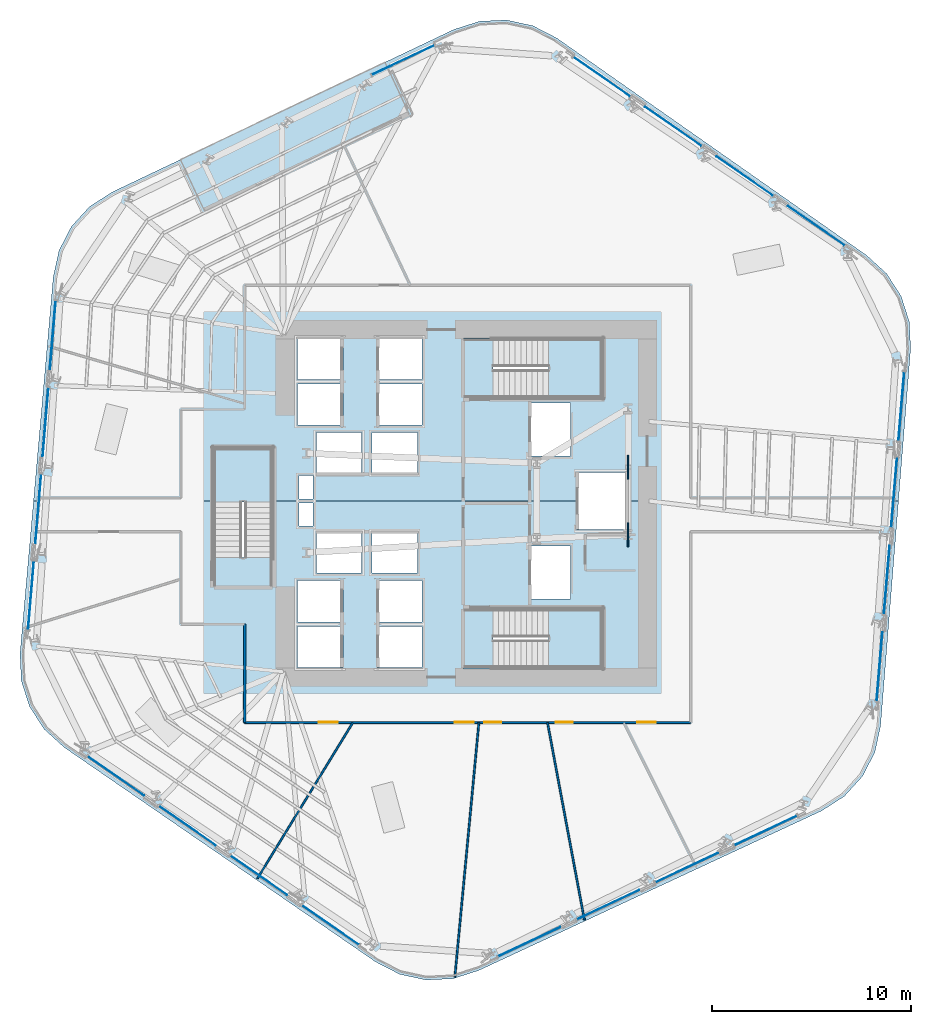
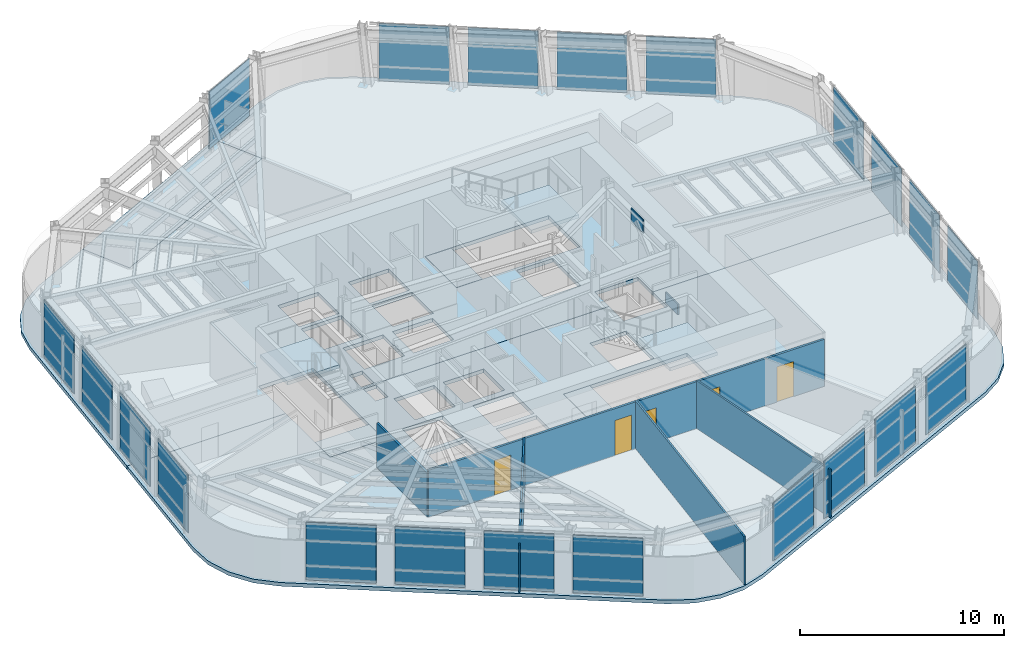
# One storey, part 8 of 19: 23 plates, 9 slabs, 5 doors, 5 walls, 5 openings, 9 elements without a shape of their own.
"""IFC4 building model written with IfcOpenShell, lengths in metres."""

from ifc_helpers import new_model, si_unit, direction, frame, frame_2d, origin, origin_2d, place, context, subcontext, project, spatial, polyline, rectangle, outline, extrude, material, layer, layer_set, type_object, element, fill, aggregate, save


model = new_model("IFC4")

# Units and contexts
model_context = context("Model", 3, precision=1e-05, world=origin(), true_north=direction((0.0, 1.0)))
body_context = subcontext(model_context, "Body", "Model", "MODEL_VIEW")
ifc_project = project(units=[si_unit("LENGTHUNIT", "METRE"), si_unit("AREAUNIT", "SQUARE_METRE"), si_unit("VOLUMEUNIT", "CUBIC_METRE"), si_unit("PLANEANGLEUNIT", "RADIAN"), si_unit("MASSUNIT", "GRAM", prefix="KILO")], contexts=[model_context])

# Site, building, storey
site_placement = place(None, origin())
site = spatial("IfcSite", under=ifc_project, at=site_placement, CompositionType="ELEMENT")
building_placement = place(site_placement, origin())
building = spatial("IfcBuilding", under=site, at=building_placement, Name="Valkerne Bourse Tower", CompositionType="ELEMENT")
storey_placement = place(building_placement, frame((0.0, 0.0, 131.39990234375)))
storey = spatial("IfcBuildingStorey", under=building, at=storey_placement, Name="L33", CompositionType="ELEMENT", Elevation=131.39990234375)

# Curtain wall, plates
ifc_material_1 = material(Name="Aluminium AA 6063-T6", Category="aluminium")
ifc_layer_1 = layer(ifc_material_1, 0.22998046875)
ifc_layer_set_1 = layer_set([ifc_layer_1], Name="Aluminium AA 6063-T6")
curtain_wall_type = type_object("IfcCurtainWallType", Name="CW-02", PredefinedType="NOTDEFINED", material=ifc_layer_set_1)
curtain_wall_1_placement = place(storey_placement, origin())
curtain_wall_1 = element("IfcCurtainWall", 1, at=curtain_wall_1_placement, inside=storey, type_object=curtain_wall_type, Name="L33 Hexagonal Stick Curtain Wall Face 1", PredefinedType="NOTDEFINED")
ifc_material_2 = material(Name="Glass IGU Low-E Double Glazed", Category="glass")
ifc_layer_2 = layer(ifc_material_2, 0.031982421875)
ifc_layer_set_2 = layer_set([ifc_layer_2], Name="Glass IGU Low-E Double Glazed")
plate_type_1 = type_object("IfcPlateType", Name="CW-PNL-IGU-32", PredefinedType="CURTAIN_PANEL", material=ifc_layer_set_2)
plate_1_placement = place(storey_placement, frame((64.427734375, 40.84326171875, 0.030029296875), z_axis=(0.0, 0.0, 1.0), x_axis=(-0.821153450054, 0.570707465751, 0.0)))
plate_1 = element("IfcPlate", 2, at=plate_1_placement, type_object=plate_type_1, Name="CW-L33-F1 Curtain Panel 00", PredefinedType="CURTAIN_PANEL", context=body_context, shape_type="SweptSolid", body=[
    extrude(rectangle(XDim=3.462890625, YDim=0.031982421875, at=origin_2d()), origin(), (0.0, 0.0, 1.0), 3.4599609375),
])
plate_2_placement = place(storey_placement, frame((60.82861328125, 43.3447265625, 0.030029296875), z_axis=(0.0, 0.0, 1.0), x_axis=(-0.82114275782, 0.570722849797, 0.0)))
plate_2 = element("IfcPlate", 3, at=plate_2_placement, type_object=plate_type_1, Name="CW-L33-F1 Curtain Panel 01", PredefinedType="CURTAIN_PANEL", context=body_context, shape_type="SweptSolid", body=[
    extrude(rectangle(XDim=3.463134765625, YDim=0.031982421875, at=origin_2d()), origin(), (0.0, 0.0, 1.0), 3.4599609375),
])
plate_3_placement = place(storey_placement, frame((57.2294921875, 45.84619140625, 0.030029296875), z_axis=(0.0, 0.0, 1.0), x_axis=(-0.821146018677, 0.570718158123, 0.0)))
plate_3 = element("IfcPlate", 4, at=plate_3_placement, type_object=plate_type_1, Name="CW-L33-F1 Curtain Panel 02", PredefinedType="CURTAIN_PANEL", context=body_context, shape_type="SweptSolid", body=[
    extrude(rectangle(XDim=3.462890625, YDim=0.031982421875, at=origin_2d()), origin(), (0.0, 0.0, 1.0), 3.4599609375),
])
plate_4_placement = place(storey_placement, frame((53.630615234375, 48.347412109375, 0.030029296875), z_axis=(0.0, 0.0, 1.0), x_axis=(-0.821153450054, 0.570707465751, 0.0)))
plate_4 = element("IfcPlate", 5, at=plate_4_placement, type_object=plate_type_1, Name="CW-L33-F1 Curtain Panel 03", PredefinedType="CURTAIN_PANEL", context=body_context, shape_type="SweptSolid", body=[
    extrude(rectangle(XDim=3.462890625, YDim=0.031982421875, at=origin_2d()), origin(), (0.0, 0.0, 1.0), 3.4599609375),
])
aggregate(curtain_wall_1, [plate_1, plate_2, plate_3, plate_4])

# Curtain wall, plate
curtain_wall_2_placement = place(storey_placement, origin())
curtain_wall_2 = element("IfcCurtainWall", 6, at=curtain_wall_2_placement, inside=storey, type_object=curtain_wall_type, Name="L33 Hexagonal Stick Curtain Wall Face 2", PredefinedType="NOTDEFINED")
plate_5_placement = place(storey_placement, frame((43.625244140625, 49.1875, 0.030029296875), z_axis=(0.0, 0.0, 1.0), x_axis=(-0.904828009037, -0.425777258743, 0.0)))
plate_5 = element("IfcPlate", 7, at=plate_5_placement, type_object=plate_type_1, Name="CW-L33-F2 Curtain Panel 00", PredefinedType="CURTAIN_PANEL", context=body_context, shape_type="SweptSolid", body=[
    extrude(rectangle(XDim=3.462890625, YDim=0.031982421875, at=origin_2d()), origin(), (0.0, 0.0, 1.0), 3.4599609375),
])
aggregate(curtain_wall_2, [plate_5])

# Curtain wall, plates
curtain_wall_3_placement = place(storey_placement, origin())
curtain_wall_3 = element("IfcCurtainWall", 8, at=curtain_wall_3_placement, inside=storey, type_object=curtain_wall_type, Name="L33 Hexagonal Stick Curtain Wall Face 3", PredefinedType="NOTDEFINED")
plate_6_placement = place(storey_placement, frame((25.99755859375, 35.344482421875, 0.030029296875), z_axis=(0.0, 0.0, 1.0), x_axis=(-0.083687445044, -0.996492052925, 0.0)))
plate_6 = element("IfcPlate", 9, at=plate_6_placement, type_object=plate_type_1, Name="CW-L33-F3 Curtain Panel 00", PredefinedType="CURTAIN_PANEL", context=body_context, shape_type="SweptSolid", body=[
    extrude(rectangle(XDim=3.462890625, YDim=0.031982421875, at=origin_2d()), origin(), (0.0, 0.0, 1.0), 3.4599609375),
])
plate_7_placement = place(storey_placement, frame((25.630615234375, 30.976806640625, 0.030029296875), z_axis=(0.0, 0.0, 1.0), x_axis=(-0.083687445044, -0.996492052925, 0.0)))
plate_7 = element("IfcPlate", 10, at=plate_7_placement, type_object=plate_type_1, Name="CW-L33-F3 Curtain Panel 01", PredefinedType="CURTAIN_PANEL", context=body_context, shape_type="SweptSolid", body=[
    extrude(rectangle(XDim=3.462890625, YDim=0.031982421875, at=origin_2d()), origin(), (0.0, 0.0, 1.0), 3.4599609375),
])
plate_8_placement = place(storey_placement, frame((25.263916015625, 26.609130859375, 0.030029296875), z_axis=(0.0, 0.0, 1.0), x_axis=(-0.083662887107, -0.996494115046, 0.0)))
plate_8 = element("IfcPlate", 11, at=plate_8_placement, type_object=plate_type_1, Name="CW-L33-F3 Curtain Panel 02", PredefinedType="CURTAIN_PANEL", context=body_context, shape_type="SweptSolid", body=[
    extrude(rectangle(XDim=3.462890625, YDim=0.031982421875, at=origin_2d()), origin(), (0.0, 0.0, 1.0), 3.4599609375),
])
plate_9_placement = place(storey_placement, frame((24.897216796875, 22.241455078125, 0.030029296875), z_axis=(0.0, 0.0, 1.0), x_axis=(-0.083687445044, -0.996492052925, 0.0)))
plate_9 = element("IfcPlate", 12, at=plate_9_placement, type_object=plate_type_1, Name="CW-L33-F3 Curtain Panel 03", PredefinedType="CURTAIN_PANEL", context=body_context, shape_type="SweptSolid", body=[
    extrude(rectangle(XDim=3.462890625, YDim=0.031982421875, at=origin_2d()), origin(), (0.0, 0.0, 1.0), 3.4599609375),
])
aggregate(curtain_wall_3, [plate_6, plate_7, plate_8, plate_9])

curtain_wall_4_placement = place(storey_placement, origin())
curtain_wall_4 = element("IfcCurtainWall", 13, at=curtain_wall_4_placement, inside=storey, type_object=curtain_wall_type, Name="L33 Hexagonal Stick Curtain Wall Face 4", PredefinedType="NOTDEFINED")
plate_10_placement = place(storey_placement, frame((29.17236328125, 13.15673828125, 0.030029296875), z_axis=(0.0, 0.0, 1.0), x_axis=(0.821153450054, -0.570707465751, 0.0)))
plate_10 = element("IfcPlate", 14, at=plate_10_placement, type_object=plate_type_1, Name="CW-L33-F4 Curtain Panel 00", PredefinedType="CURTAIN_PANEL", context=body_context, shape_type="SweptSolid", body=[
    extrude(rectangle(XDim=3.462890625, YDim=0.031982421875, at=origin_2d()), origin(), (0.0, 0.0, 1.0), 3.4599609375),
])
plate_11_placement = place(storey_placement, frame((32.771484375, 10.6552734375, 0.030029296875), z_axis=(0.0, 0.0, 1.0), x_axis=(0.82114275782, -0.570722849797, 0.0)))
plate_11 = element("IfcPlate", 15, at=plate_11_placement, type_object=plate_type_1, Name="CW-L33-F4 Curtain Panel 01", PredefinedType="CURTAIN_PANEL", context=body_context, shape_type="SweptSolid", body=[
    extrude(rectangle(XDim=3.463134765625, YDim=0.031982421875, at=origin_2d()), origin(), (0.0, 0.0, 1.0), 3.4599609375),
])
plate_12_placement = place(storey_placement, frame((36.370361328125, 8.15380859375, 0.030029296875), z_axis=(0.0, 0.0, 1.0), x_axis=(0.821146018677, -0.570718158123, 0.0)))
plate_12 = element("IfcPlate", 16, at=plate_12_placement, type_object=plate_type_1, Name="CW-L33-F4 Curtain Panel 02", PredefinedType="CURTAIN_PANEL", context=body_context, shape_type="SweptSolid", body=[
    extrude(rectangle(XDim=3.462890625, YDim=0.031982421875, at=origin_2d()), origin(), (0.0, 0.0, 1.0), 3.4599609375),
])
plate_13_placement = place(storey_placement, frame((39.969482421875, 5.652587890625, 0.030029296875), z_axis=(0.0, 0.0, 1.0), x_axis=(0.821153450054, -0.570707465751, 0.0)))
plate_13 = element("IfcPlate", 17, at=plate_13_placement, type_object=plate_type_1, Name="CW-L33-F4 Curtain Panel 03", PredefinedType="CURTAIN_PANEL", context=body_context, shape_type="SweptSolid", body=[
    extrude(rectangle(XDim=3.462890625, YDim=0.031982421875, at=origin_2d()), origin(), (0.0, 0.0, 1.0), 3.4599609375),
])
aggregate(curtain_wall_4, [plate_10, plate_11, plate_12, plate_13])

curtain_wall_5_placement = place(storey_placement, origin())
curtain_wall_5 = element("IfcCurtainWall", 18, at=curtain_wall_5_placement, inside=storey, type_object=curtain_wall_type, Name="L33 Hexagonal Stick Curtain Wall Face 5", PredefinedType="NOTDEFINED")
plate_14_placement = place(storey_placement, frame((49.974609375, 4.8125, 0.030029296875), z_axis=(0.0, 0.0, 1.0), x_axis=(0.904828009037, 0.425777258743, 0.0)))
plate_14 = element("IfcPlate", 19, at=plate_14_placement, type_object=plate_type_1, Name="CW-L33-F5 Curtain Panel 00", PredefinedType="CURTAIN_PANEL", context=body_context, shape_type="SweptSolid", body=[
    extrude(rectangle(XDim=3.462890625, YDim=0.031982421875, at=origin_2d()), origin(), (0.0, 0.0, 1.0), 3.4599609375),
])
plate_15_placement = place(storey_placement, frame((53.940673828125, 6.678466796875, 0.030029296875), z_axis=(0.0, 0.0, 1.0), x_axis=(0.904823872824, 0.425786048582, 0.0)))
plate_15 = element("IfcPlate", 20, at=plate_15_placement, type_object=plate_type_1, Name="CW-L33-F5 Curtain Panel 01", PredefinedType="CURTAIN_PANEL", context=body_context, shape_type="SweptSolid", body=[
    extrude(rectangle(XDim=3.462890625, YDim=0.031982421875, at=origin_2d()), origin(), (0.0, 0.0, 1.0), 3.4599609375),
])
plate_16_placement = place(storey_placement, frame((57.906494140625, 8.544921875, 0.030029296875), z_axis=(0.0, 0.0, 1.0), x_axis=(0.904828009037, 0.425777258743, 0.0)))
plate_16 = element("IfcPlate", 21, at=plate_16_placement, type_object=plate_type_1, Name="CW-L33-F5 Curtain Panel 02", PredefinedType="CURTAIN_PANEL", context=body_context, shape_type="SweptSolid", body=[
    extrude(rectangle(XDim=3.462890625, YDim=0.031982421875, at=origin_2d()), origin(), (0.0, 0.0, 1.0), 3.4599609375),
])
plate_17_placement = place(storey_placement, frame((61.872314453125, 10.410888671875, 0.030029296875), z_axis=(0.0, 0.0, 1.0), x_axis=(0.904832662714, 0.425767368977, 0.0)))
plate_17 = element("IfcPlate", 22, at=plate_17_placement, type_object=plate_type_1, Name="CW-L33-F5 Curtain Panel 03", PredefinedType="CURTAIN_PANEL", context=body_context, shape_type="SweptSolid", body=[
    extrude(rectangle(XDim=3.462890625, YDim=0.031982421875, at=origin_2d()), origin(), (0.0, 0.0, 1.0), 3.4599609375),
])
aggregate(curtain_wall_5, [plate_14, plate_15, plate_16, plate_17])

curtain_wall_6_placement = place(storey_placement, origin())
curtain_wall_6 = element("IfcCurtainWall", 23, at=curtain_wall_6_placement, inside=storey, type_object=curtain_wall_type, Name="L33 Hexagonal Stick Curtain Wall Face 6", PredefinedType="NOTDEFINED")
plate_18_placement = place(storey_placement, frame((67.6025390625, 18.655517578125, 0.030029296875), z_axis=(0.0, 0.0, 1.0), x_axis=(0.083687445044, 0.996492052925, 0.0)))
plate_18 = element("IfcPlate", 24, at=plate_18_placement, type_object=plate_type_1, Name="CW-L33-F6 Curtain Panel 00", PredefinedType="CURTAIN_PANEL", context=body_context, shape_type="SweptSolid", body=[
    extrude(rectangle(XDim=3.462890625, YDim=0.031982421875, at=origin_2d()), origin(), (0.0, 0.0, 1.0), 3.4599609375),
])
plate_19_placement = place(storey_placement, frame((67.96923828125, 23.023193359375, 0.030029296875), z_axis=(0.0, 0.0, 1.0), x_axis=(0.083687445044, 0.996492052925, 0.0)))
plate_19 = element("IfcPlate", 25, at=plate_19_placement, type_object=plate_type_1, Name="CW-L33-F6 Curtain Panel 01", PredefinedType="CURTAIN_PANEL", context=body_context, shape_type="SweptSolid", body=[
    extrude(rectangle(XDim=3.462890625, YDim=0.031982421875, at=origin_2d()), origin(), (0.0, 0.0, 1.0), 3.4599609375),
])
plate_20_placement = place(storey_placement, frame((68.3359375, 27.390869140625, 0.030029296875), z_axis=(0.0, 0.0, 1.0), x_axis=(0.083662887107, 0.996494115046, 0.0)))
plate_20 = element("IfcPlate", 26, at=plate_20_placement, type_object=plate_type_1, Name="CW-L33-F6 Curtain Panel 02", PredefinedType="CURTAIN_PANEL", context=body_context, shape_type="SweptSolid", body=[
    extrude(rectangle(XDim=3.462890625, YDim=0.031982421875, at=origin_2d()), origin(), (0.0, 0.0, 1.0), 3.4599609375),
])
plate_21_placement = place(storey_placement, frame((68.702880859375, 31.75830078125, 0.030029296875), z_axis=(0.0, 0.0, 1.0), x_axis=(0.083687445044, 0.996492052925, 0.0)))
plate_21 = element("IfcPlate", 27, at=plate_21_placement, type_object=plate_type_1, Name="CW-L33-F6 Curtain Panel 03", PredefinedType="CURTAIN_PANEL", context=body_context, shape_type="SweptSolid", body=[
    extrude(rectangle(XDim=3.462890625, YDim=0.031982421875, at=origin_2d()), origin(), (0.0, 0.0, 1.0), 3.4599609375),
])
aggregate(curtain_wall_6, [plate_18, plate_19, plate_20, plate_21])

# Plates
ifc_material_3 = material(Name="Steel ASTM A572 Grade 50", Category="steel")
ifc_layer_3 = layer(ifc_material_3, 0.06005859375)
ifc_layer_set_3 = layer_set([ifc_layer_3], Name="Steel ASTM A572 Grade 50")
plate_type_2 = type_object("IfcPlateType", Name="PLT-GUS-60", PredefinedType="SHEET", material=ifc_layer_set_3)
for number, where, z_axis, x_axis, name in (
    (28, (54.949951171875, 25.300048828125, -0.1796875), (0.0, 0.0, 1.0), (0.0, 1.0, 0.0), "L33 Brace Node Gusset Plate PLT-GUS-END-L33-382"),
    (29, (54.949951171875, 28.699951171875, 2.81396484375), (0.0, 0.0, 1.0), (0.0, 1.0, 0.0), "L33 Brace Node Gusset Plate PLT-GUS-END-L33-383"),
):
    element("IfcPlate", number, at=place(storey_placement, frame(where, z_axis=z_axis, x_axis=x_axis)), inside=storey, type_object=plate_type_2, Name=name, PredefinedType="SHEET", context=body_context, shape_type="SweptSolid", body=[
        extrude(rectangle(XDim=1.199951171875, YDim=0.06005859375, at=origin_2d()), origin(), (0.0, 0.0, 1.0), 0.800048828125),
    ])

# Slabs
ifc_material_4 = material(Name="Concrete C40/50", Category="concrete")
ifc_layer_4 = layer(ifc_material_4, 0.25)
ifc_layer_set_4 = layer_set([ifc_layer_4], Name="Concrete C40/50")
slab_type_1 = type_object("IfcSlabType", Name="SLB-RMP-LND-250", PredefinedType="LANDING", material=ifc_layer_set_4)
slab_1_placement = place(storey_placement, frame((0.0, 0.0, -0.219970703125)))
element("IfcSlab", 30, at=slab_1_placement, inside=storey, type_object=slab_type_1, Name="L33 ST-1 Floor Landing Slab", PredefinedType="LANDING", context=body_context, shape_type="SweptSolid", body=[
    extrude(outline(polyline([(46.669921875, 18.5400390625), (48.14990234375, 18.5400390625), (48.14990234375, 21.610107421875), (46.669921875, 21.610107421875), (46.669921875, 18.5400390625)])), origin(), (0.0, 0.0, 1.0), 0.219970703125),
])
slab_2_placement = place(storey_placement, frame((0.0, 0.0, -0.219970703125)))
element("IfcSlab", 31, at=slab_2_placement, inside=storey, type_object=slab_type_1, Name="L33 ST-2 Floor Landing Slab", PredefinedType="LANDING", context=body_context, shape_type="SweptSolid", body=[
    extrude(outline(polyline([(46.669921875, 32.139892578125), (48.14990234375, 32.139892578125), (48.14990234375, 35.2099609375), (46.669921875, 35.2099609375), (46.669921875, 32.139892578125)])), origin(), (0.0, 0.0, 1.0), 0.219970703125),
])
slab_3_placement = place(storey_placement, frame((0.0, 0.0, -0.219970703125)))
element("IfcSlab", 32, at=slab_3_placement, inside=storey, type_object=slab_type_1, Name="L33 ST-3 Floor Landing Slab", PredefinedType="LANDING", context=body_context, shape_type="SweptSolid", body=[
    extrude(outline(polyline([(37.110107421875, 22.669921875), (37.110107421875, 24.14990234375), (34.0400390625, 24.14990234375), (34.0400390625, 22.669921875), (37.110107421875, 22.669921875)])), origin(), (0.0, 0.0, 1.0), 0.219970703125),
])

# Stair, slab
stair_type = type_object("IfcStairType", Name="ST-CORE-1400", PredefinedType="HALF_TURN_STAIR", material=ifc_material_4)
stair_1_placement = place(storey_placement, origin())
stair_1 = element("IfcStair", 33, at=stair_1_placement, inside=storey, type_object=stair_type, Name="L33 ST-1", PredefinedType="HALF_TURN_STAIR")
ifc_layer_5 = layer(ifc_material_4, 0.179931640625)
ifc_layer_set_5 = layer_set([ifc_layer_5], Name="Concrete C40/50")
slab_type_2 = type_object("IfcSlabType", Name="SLB-ST-LND-180", PredefinedType="LANDING", material=ifc_layer_set_5)
slab_4_placement = place(storey_placement, frame((0.0, 0.0, 1.7001953125)))
slab_4 = element("IfcSlab", 34, at=slab_4_placement, type_object=slab_type_2, Name="ST-1 landing 1", PredefinedType="LANDING", context=body_context, shape_type="SweptSolid", body=[
    extrude(outline(polyline([(50.949951171875, 18.60009765625), (53.64990234375, 18.60009765625), (53.64990234375, 21.550048828125), (50.949951171875, 21.550048828125), (50.949951171875, 18.60009765625)])), origin(), (0.0, 0.0, 1.0), 0.199951171875),
])
aggregate(stair_1, [slab_4])

stair_2_placement = place(storey_placement, origin())
stair_2 = element("IfcStair", 35, at=stair_2_placement, inside=storey, type_object=stair_type, Name="L33 ST-2", PredefinedType="HALF_TURN_STAIR")
slab_5_placement = place(storey_placement, frame((0.0, 0.0, 1.7001953125)))
slab_5 = element("IfcSlab", 36, at=slab_5_placement, type_object=slab_type_2, Name="ST-2 landing 1", PredefinedType="LANDING", context=body_context, shape_type="SweptSolid", body=[
    extrude(outline(polyline([(50.949951171875, 32.199951171875), (53.64990234375, 32.199951171875), (53.64990234375, 35.14990234375), (50.949951171875, 35.14990234375), (50.949951171875, 32.199951171875)])), origin(), (0.0, 0.0, 1.0), 0.199951171875),
])
aggregate(stair_2, [slab_5])

stair_3_placement = place(storey_placement, origin())
stair_3 = element("IfcStair", 37, at=stair_3_placement, inside=storey, type_object=stair_type, Name="L33 ST-3", PredefinedType="HALF_TURN_STAIR")
slab_6_placement = place(storey_placement, frame((0.0, 0.0, 1.7001953125)))
slab_6 = element("IfcSlab", 38, at=slab_6_placement, type_object=slab_type_2, Name="ST-3 landing 1", PredefinedType="LANDING", context=body_context, shape_type="SweptSolid", body=[
    extrude(outline(polyline([(37.050048828125, 26.949951171875), (37.050048828125, 29.64990234375), (34.10009765625, 29.64990234375), (34.10009765625, 26.949951171875), (37.050048828125, 26.949951171875)])), origin(), (0.0, 0.0, 1.0), 0.199951171875),
])
aggregate(stair_3, [slab_6])

# Slabs
ifc_layer_6 = layer(ifc_material_4, 0.199951171875)
ifc_layer_set_6 = layer_set([ifc_layer_6], Name="Concrete C40/50")
slab_type_3 = type_object("IfcSlabType", Name="SLB-TER-200", PredefinedType="FLOOR", material=ifc_layer_set_6)
slab_7_placement = place(storey_placement, frame((0.0, 0.0, -0.199951171875)))
element("IfcSlab", 39, at=slab_7_placement, inside=storey, type_object=slab_type_3, Name="L33 V-Notch Stepped Outdoor Terrace Slab", PredefinedType="FLOOR", context=body_context, shape_type="SweptSolid", body=[
    extrude(outline(polyline([(42.711669921875, 49.0751953125), (43.931396484375, 46.4833984375), (33.6162109375, 41.629638671875), (32.417236328125, 44.177734375), (42.711669921875, 49.0751953125)])), origin(), (0.0, 0.0, 1.0), 0.199951171875),
])
ifc_layer_7 = layer(ifc_material_4, 0.219970703125)
ifc_layer_set_7 = layer_set([ifc_layer_7], Name="Concrete C40/50")
slab_type_4 = type_object("IfcSlabType", Name="SLB-TOW-220", PredefinedType="FLOOR", material=ifc_layer_set_7)
slab_8_placement = place(storey_placement, frame((0.0, 0.0, -0.219970703125)))
element("IfcSlab", 40, at=slab_8_placement, inside=storey, type_object=slab_type_4, Name="L33 Hexagonal Composite Floor Slab S", PredefinedType="FLOOR", context=body_context, shape_type="SweptSolid", body=[
    extrude(outline(polyline([(67.656494140625, 15.670654296875), (67.367431640625, 14.34423828125), (66.744873046875, 13.137939453125), (65.831298828125, 12.134033203125), (64.68896484375, 11.400634765625), (47.424560546875, 3.365966796875), (46.13134765625, 2.953125), (44.775390625, 2.889404296875), (43.44921875, 3.178466796875), (42.242919921875, 3.801025390625), (26.560302734375, 14.602294921875), (25.55615234375, 15.51611328125), (24.82275390625, 16.658203125), (24.41015625, 17.951416015625), (24.34619140625, 19.3076171875), (25.02490234375, 27.0), (34.034912109375, 27.0), (34.034912109375, 22.6650390625), (37.114990234375, 22.6650390625), (37.114990234375, 27.0), (52.360107421875, 27.0), (52.360107421875, 25.56005859375), (54.840087890625, 25.56005859375), (54.840087890625, 27.0), (68.5595703125, 27.0), (67.656494140625, 15.670654296875)]), holes=[polyline([(40.590087890625, 20.68994140625), (38.31005859375, 20.68994140625), (38.31005859375, 18.610107421875), (40.590087890625, 18.610107421875), (40.590087890625, 20.68994140625)]), polyline([(40.590087890625, 22.989990234375), (38.31005859375, 22.989990234375), (38.31005859375, 20.909912109375), (40.590087890625, 20.909912109375), (40.590087890625, 22.989990234375)]), polyline([(41.5400390625, 25.43994140625), (39.260009765625, 25.43994140625), (39.260009765625, 23.360107421875), (41.5400390625, 23.360107421875), (41.5400390625, 25.43994140625)]), polyline([(39.10009765625, 25.72998046875), (39.10009765625, 26.89990234375), (38.3798828125, 26.89990234375), (38.3798828125, 25.72998046875), (39.10009765625, 25.72998046875)]), polyline([(44.590087890625, 20.68994140625), (42.31005859375, 20.68994140625), (42.31005859375, 18.610107421875), (44.590087890625, 18.610107421875), (44.590087890625, 20.68994140625)]), polyline([(53.675048828125, 21.614990234375), (46.6650390625, 21.614990234375), (46.6650390625, 18.534912109375), (53.675048828125, 18.534912109375), (53.675048828125, 21.614990234375)]), polyline([(44.590087890625, 22.989990234375), (42.31005859375, 22.989990234375), (42.31005859375, 20.909912109375), (44.590087890625, 20.909912109375), (44.590087890625, 22.989990234375)]), polyline([(52.0400390625, 22.06005859375), (52.0400390625, 24.739990234375), (49.9599609375, 24.739990234375), (49.9599609375, 22.06005859375), (52.0400390625, 22.06005859375)]), polyline([(44.340087890625, 23.360107421875), (44.340087890625, 25.43994140625), (42.06005859375, 25.43994140625), (42.06005859375, 23.360107421875), (44.340087890625, 23.360107421875)])]), origin(), (0.0, 0.0, 1.0), 0.219970703125),
])
slab_9_placement = place(storey_placement, frame((0.0, 0.0, -0.219970703125)))
element("IfcSlab", 41, at=slab_9_placement, inside=storey, type_object=slab_type_4, Name="L33 Hexagonal Composite Floor Slab N", PredefinedType="FLOOR", context=body_context, shape_type="SweptSolid", body=[
    extrude(outline(polyline([(48.83251953125, 51.20361328125), (50.15869140625, 50.91455078125), (51.364990234375, 50.2919921875), (66.955322265625, 39.35791015625), (67.95947265625, 38.4443359375), (68.69287109375, 37.302001953125), (69.10546875, 36.0087890625), (69.16943359375, 34.65283203125), (68.5595703125, 27.0), (54.840087890625, 27.0), (54.840087890625, 28.43994140625), (52.360107421875, 28.43994140625), (52.360107421875, 27.0), (37.114990234375, 27.0), (37.114990234375, 29.675048828125), (34.034912109375, 29.675048828125), (34.034912109375, 27.0), (25.02490234375, 27.0), (26.02001953125, 38.276123046875), (26.30908203125, 39.6025390625), (26.931884765625, 40.80859375), (27.845458984375, 41.812744140625), (28.98779296875, 42.546142578125), (32.417236328125, 44.177734375), (33.6162109375, 41.629638671875), (43.931396484375, 46.4833984375), (42.711669921875, 49.0751953125), (46.183349609375, 50.72705078125), (47.4765625, 51.1396484375), (48.83251953125, 51.20361328125)]), holes=[polyline([(39.10009765625, 28.27001953125), (38.3798828125, 28.27001953125), (38.3798828125, 27.10009765625), (39.10009765625, 27.10009765625), (39.10009765625, 28.27001953125)]), polyline([(41.5400390625, 30.43994140625), (39.260009765625, 30.43994140625), (39.260009765625, 28.360107421875), (41.5400390625, 28.360107421875), (41.5400390625, 30.43994140625)]), polyline([(44.340087890625, 30.43994140625), (42.06005859375, 30.43994140625), (42.06005859375, 28.360107421875), (44.340087890625, 28.360107421875), (44.340087890625, 30.43994140625)]), polyline([(40.590087890625, 30.81005859375), (40.590087890625, 32.889892578125), (38.31005859375, 32.889892578125), (38.31005859375, 30.81005859375), (40.590087890625, 30.81005859375)]), polyline([(40.590087890625, 33.110107421875), (40.590087890625, 35.18994140625), (38.31005859375, 35.18994140625), (38.31005859375, 33.110107421875), (40.590087890625, 33.110107421875)]), polyline([(52.0400390625, 31.93994140625), (49.9599609375, 31.93994140625), (49.9599609375, 29.260009765625), (52.0400390625, 29.260009765625), (52.0400390625, 31.93994140625)]), polyline([(44.590087890625, 32.889892578125), (42.31005859375, 32.889892578125), (42.31005859375, 30.81005859375), (44.590087890625, 30.81005859375), (44.590087890625, 32.889892578125)]), polyline([(53.675048828125, 32.135009765625), (53.675048828125, 35.215087890625), (46.6650390625, 35.215087890625), (46.6650390625, 32.135009765625), (53.675048828125, 32.135009765625)]), polyline([(44.590087890625, 33.110107421875), (44.590087890625, 35.18994140625), (42.31005859375, 35.18994140625), (42.31005859375, 33.110107421875), (44.590087890625, 33.110107421875)])]), origin(), (0.0, 0.0, 1.0), 0.219970703125),
])

# Wall, openings, doors
ifc_material_5 = material(Name="Gypsum Board Steel-Stud Partition", Category="steel")
ifc_layer_8 = layer(ifc_material_5, 0.117919921875)
ifc_layer_set_8 = layer_set([ifc_layer_8], Name="Gypsum Board Steel-Stud Partition")
wall_type_1 = type_object("IfcWallType", Name="W-CORR-140", PredefinedType="PARTITIONING", material=ifc_layer_set_8)
wall_1_placement = place(storey_placement, frame((58.10009765625, 15.85009765625, 0.0), z_axis=(0.0, 0.0, 1.0), x_axis=(-1.0, 0.0, 0.0)))
wall_1 = element("IfcWall", 42, at=wall_1_placement, inside=storey, type_object=wall_type_1, Name="L33 Corridor Enclosure Wall", PredefinedType="PARTITIONING", context=body_context, shape_type="SweptSolid", body=[
    extrude(rectangle(XDim=22.4501953125, YDim=0.117919921875, at=frame_2d((11.22509765625, 0.0))), origin(), (0.0, 0.0, 1.0), 2.816650390625),
])
opening_1_placement = place(wall_1_placement, frame((5.93505859375, 0.0, 0.0)))
opening_1 = element("IfcOpeningElement", 43, at=opening_1_placement, cuts=wall_1, Name="Opening D-WC-900", PredefinedType="OPENING", context=body_context, shape_type="SweptSolid", body=[
    extrude(rectangle(XDim=0.860107421875, YDim=2.050048828125, at=frame_2d((0.43017578125, 1.02490234375))), frame((0.0, 0.06884765625, 0.0), z_axis=(0.0, -1.0, 0.0), x_axis=(1.0, 0.0, 0.0)), (0.0, 0.0, 1.0), 0.137939453125),
])
opening_2_placement = place(wall_1_placement, frame((9.534912109375, 0.0, 0.0)))
opening_2 = element("IfcOpeningElement", 44, at=opening_2_placement, cuts=wall_1, Name="Opening D-WC-900", PredefinedType="OPENING", context=body_context, shape_type="SweptSolid", body=[
    extrude(rectangle(XDim=0.860107421875, YDim=2.050048828125, at=frame_2d((0.43017578125, 1.02490234375))), frame((0.0, 0.06884765625, 0.0), z_axis=(0.0, -1.0, 0.0), x_axis=(1.0, 0.0, 0.0)), (0.0, 0.0, 1.0), 0.137939453125),
])
opening_3_placement = place(wall_1_placement, frame((10.929931640625, 0.0, 0.0)))
opening_3 = element("IfcOpeningElement", 45, at=opening_3_placement, cuts=wall_1, Name="Opening D-OF-950", PredefinedType="OPENING", context=body_context, shape_type="SweptSolid", body=[
    extrude(rectangle(XDim=0.949951171875, YDim=2.10009765625, at=frame_2d((0.47509765625, 1.050048828125))), frame((0.0, 0.06884765625, 0.0), z_axis=(0.0, -1.0, 0.0), x_axis=(1.0, 0.0, 0.0)), (0.0, 0.0, 1.0), 0.137939453125),
])
opening_4_placement = place(wall_1_placement, frame((17.77001953125, 0.0, 0.0)))
opening_4 = element("IfcOpeningElement", 46, at=opening_4_placement, cuts=wall_1, Name="Opening D-OF-950", PredefinedType="OPENING", context=body_context, shape_type="SweptSolid", body=[
    extrude(rectangle(XDim=0.949951171875, YDim=2.10009765625, at=frame_2d((0.47509765625, 1.050048828125))), frame((0.0, 0.06884765625, 0.0), z_axis=(0.0, -1.0, 0.0), x_axis=(1.0, 0.0, 0.0)), (0.0, 0.0, 1.0), 0.137939453125),
])
opening_5_placement = place(wall_1_placement, frame((1.75, 0.0, 0.0)))
opening_5 = element("IfcOpeningElement", 47, at=opening_5_placement, cuts=wall_1, Name="Opening D-OF-950", PredefinedType="OPENING", context=body_context, shape_type="SweptSolid", body=[
    extrude(rectangle(XDim=0.949951171875, YDim=2.10009765625, at=frame_2d((0.47509765625, 1.050048828125))), frame((0.0, 0.06884765625, 0.0), z_axis=(0.0, -1.0, 0.0), x_axis=(1.0, 0.0, 0.0)), (0.0, 0.0, 1.0), 0.137939453125),
])
ifc_material_6 = material(Name="Architectural White Oak Timber", Category="wood")
door_type_1 = type_object("IfcDoorType", Name="DR-OFF-950", OperationType="NOTDEFINED", PredefinedType="DOOR", material=ifc_material_6)
door_1_placement = place(opening_3_placement, origin())
door_1 = element("IfcDoor", 48, at=door_1_placement, inside=storey, type_object=door_type_1, Name="L33 L33 Commodities Market Showroom 4 Door", OperationType="SINGLE_SWING_LEFT", OverallHeight=2.10009765625, OverallWidth=0.949951171875, PredefinedType="DOOR", context=body_context, shape_type="SweptSolid", body=[
    extrude(rectangle(XDim=0.949951171875, YDim=2.10009765625, at=frame_2d((0.47509765625, 1.050048828125))), frame((0.0, 0.02490234375, 0.0), z_axis=(0.0, -1.0, 0.0), x_axis=(1.0, 0.0, 0.0)), (0.0, 0.0, 1.0), 0.050048828125),
])
fill(opening_3, door_1)
door_2_placement = place(opening_4_placement, origin())
door_2 = element("IfcDoor", 49, at=door_2_placement, inside=storey, type_object=door_type_1, Name="L33 L33 Executive Advisory Suite Office 5 Door", OperationType="SINGLE_SWING_LEFT", OverallHeight=2.10009765625, OverallWidth=0.949951171875, PredefinedType="DOOR", context=body_context, shape_type="SweptSolid", body=[
    extrude(rectangle(XDim=0.949951171875, YDim=2.10009765625, at=frame_2d((0.47509765625, 1.050048828125))), frame((0.0, 0.02490234375, 0.0), z_axis=(0.0, -1.0, 0.0), x_axis=(1.0, 0.0, 0.0)), (0.0, 0.0, 1.0), 0.050048828125),
])
fill(opening_4, door_2)
door_3_placement = place(opening_5_placement, origin())
door_3 = element("IfcDoor", 50, at=door_3_placement, inside=storey, type_object=door_type_1, Name="L33 L33 Member Collaboration Club Salon 7 Door", OperationType="SINGLE_SWING_LEFT", OverallHeight=2.10009765625, OverallWidth=0.949951171875, PredefinedType="DOOR", context=body_context, shape_type="SweptSolid", body=[
    extrude(rectangle(XDim=0.949951171875, YDim=2.10009765625, at=frame_2d((0.47509765625, 1.050048828125))), frame((0.0, 0.02490234375, 0.0), z_axis=(0.0, -1.0, 0.0), x_axis=(1.0, 0.0, 0.0)), (0.0, 0.0, 1.0), 0.050048828125),
])
fill(opening_5, door_3)
door_type_2 = type_object("IfcDoorType", Name="DR-WC-900", OperationType="NOTDEFINED", PredefinedType="DOOR", material=ifc_material_6)
door_4_placement = place(opening_1_placement, origin())
door_4 = element("IfcDoor", 51, at=door_4_placement, inside=storey, type_object=door_type_2, Name="L33 L33 Men Bathroom WC 1 Door", OperationType="SINGLE_SWING_RIGHT", OverallHeight=2.050048828125, OverallWidth=0.860107421875, PredefinedType="DOOR", context=body_context, shape_type="SweptSolid", body=[
    extrude(rectangle(XDim=0.860107421875, YDim=2.050048828125, at=frame_2d((0.43017578125, 1.02490234375))), frame((0.0, 0.02490234375, 0.0), z_axis=(0.0, -1.0, 0.0), x_axis=(1.0, 0.0, 0.0)), (0.0, 0.0, 1.0), 0.050048828125),
])
fill(opening_1, door_4)
door_5_placement = place(opening_2_placement, origin())
door_5 = element("IfcDoor", 52, at=door_5_placement, inside=storey, type_object=door_type_2, Name="L33 L33 Women Restroom & Shower WC 2 Door", OperationType="SINGLE_SWING_LEFT", OverallHeight=2.050048828125, OverallWidth=0.860107421875, PredefinedType="DOOR", context=body_context, shape_type="SweptSolid", body=[
    extrude(rectangle(XDim=0.860107421875, YDim=2.050048828125, at=frame_2d((0.43017578125, 1.02490234375))), frame((0.0, 0.02490234375, 0.0), z_axis=(0.0, -1.0, 0.0), x_axis=(1.0, 0.0, 0.0)), (0.0, 0.0, 1.0), 0.050048828125),
])
fill(opening_2, door_5)

# Walls
wall_2_placement = place(storey_placement, frame((35.64990234375, 15.85009765625, 0.0), z_axis=(0.0, 0.0, 1.0), x_axis=(0.0, 1.0, 0.0)))
element("IfcWall", 53, at=wall_2_placement, inside=storey, type_object=wall_type_1, Name="L33 Corridor Enclosure Wall", PredefinedType="PARTITIONING", context=body_context, shape_type="SweptSolid", body=[
    extrude(rectangle(XDim=4.949951171875, YDim=0.117919921875, at=frame_2d((2.47509765625, 0.0))), origin(), (0.0, 0.0, 1.0), 2.651611328125),
])
ifc_layer_9 = layer(ifc_material_5, 0.092041015625)
ifc_layer_set_9 = layer_set([ifc_layer_9], Name="Gypsum Board Steel-Stud Partition")
wall_type_2 = type_object("IfcWallType", Name="W-PART-115", PredefinedType="PARTITIONING", material=ifc_layer_set_9)
wall_3_placement = place(storey_placement, frame((47.441650390625, 15.844970703125, 0.0), z_axis=(0.0, 0.0, 1.0), x_axis=(-0.094117412841, -0.995561104403, 0.0)))
element("IfcWall", 54, at=wall_3_placement, inside=storey, type_object=wall_type_2, Name="L33 Suite Partition P01", PredefinedType="PARTITIONING", context=body_context, shape_type="SweptSolid", body=[
    extrude(rectangle(XDim=12.843017578125, YDim=0.092041015625, at=frame_2d((6.42138671875, 0.0))), origin(), (0.0, 0.0, 1.0), 2.8623046875),
])
wall_4_placement = place(storey_placement, frame((50.8935546875, 15.844970703125, 0.0), z_axis=(0.0, 0.0, 1.0), x_axis=(0.18393955125, -0.982937557267, 0.0)))
element("IfcWall", 55, at=wall_4_placement, inside=storey, type_object=wall_type_2, Name="L33 Suite Partition P02", PredefinedType="PARTITIONING", context=body_context, shape_type="SweptSolid", body=[
    extrude(rectangle(XDim=10.095458984375, YDim=0.092041015625, at=frame_2d((5.0478515625, 0.0))), origin(), (0.0, 0.0, 1.0), 2.8623046875),
])
wall_5_placement = place(storey_placement, frame((41.098388671875, 15.844970703125, 0.0), z_axis=(0.0, 0.0, 1.0), x_axis=(-0.522082268094, -0.852895131503, 0.0)))
element("IfcWall", 56, at=wall_5_placement, inside=storey, type_object=wall_type_2, Name="L33 Suite Partition P07", PredefinedType="PARTITIONING", context=body_context, shape_type="SweptSolid", body=[
    extrude(rectangle(XDim=9.213134765625, YDim=0.092041015625, at=frame_2d((4.6064453125, 0.0))), origin(), (0.0, 0.0, 1.0), 2.8623046875),
])

save(model, "model.ifc")
